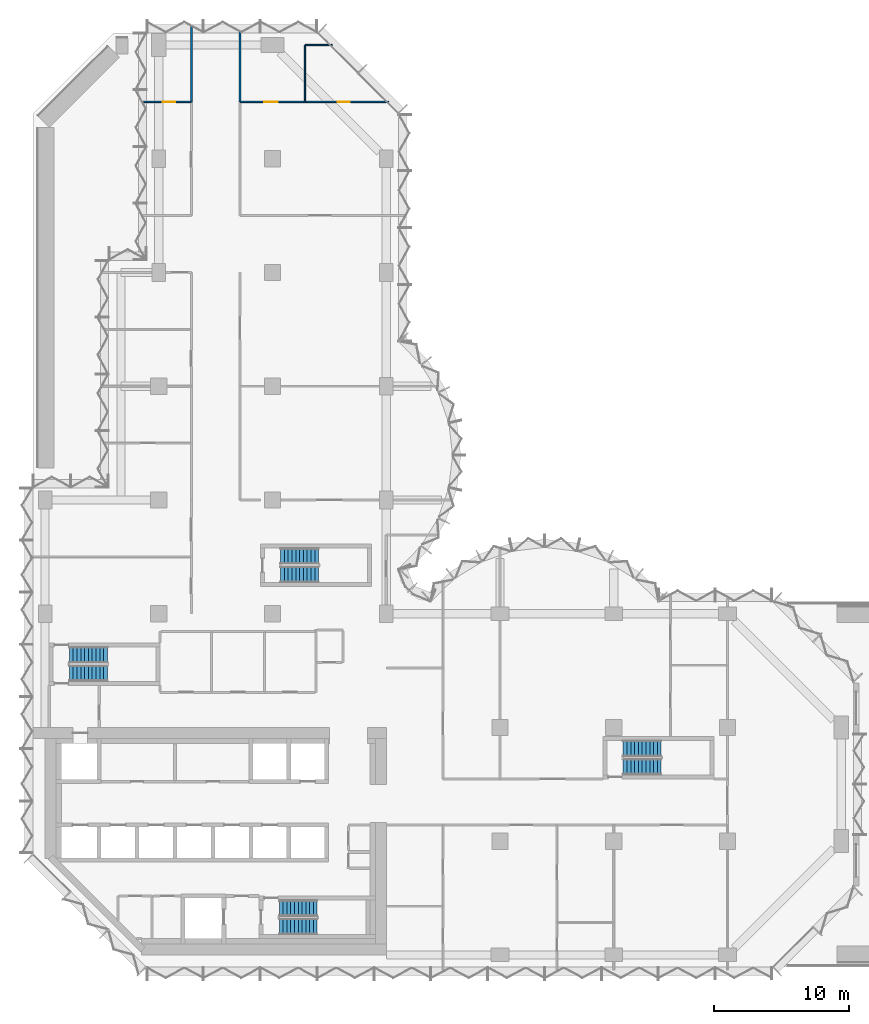
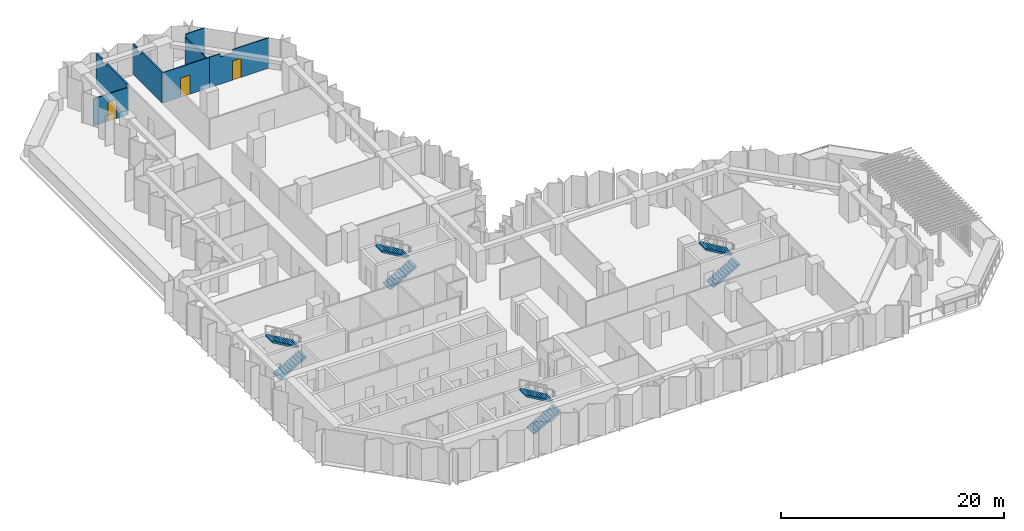
# One storey, part 15 of 18: 8 stair flights, 7 walls, 3 doors, 3 openings, 4 elements without a shape of their own.
"""IFC4 building model written with IfcOpenShell, lengths in metres."""

from ifc_helpers import new_model, si_unit, direction, frame, frame_2d, origin, place, context, subcontext, project, spatial, polyline, rectangle, outline, extrude, material, layer, layer_set, type_object, element, fill, aggregate, save


model = new_model("IFC4")

# Units and contexts
model_context = context("Model", 3, precision=1e-05, world=origin(), true_north=direction((0.0, 1.0)))
body_context = subcontext(model_context, "Body", "Model", "MODEL_VIEW")
ifc_project = project(units=[si_unit("LENGTHUNIT", "METRE"), si_unit("AREAUNIT", "SQUARE_METRE"), si_unit("VOLUMEUNIT", "CUBIC_METRE"), si_unit("PLANEANGLEUNIT", "RADIAN"), si_unit("MASSUNIT", "GRAM", prefix="KILO")], contexts=[model_context])

# Site, building, storey
site_placement = place(None, origin())
site = spatial("IfcSite", under=ifc_project, at=site_placement, CompositionType="ELEMENT")
building_placement = place(site_placement, origin())
building = spatial("IfcBuilding", under=site, at=building_placement, Name="Brevane Broadcast Tower", CompositionType="ELEMENT")
storey_placement = place(building_placement, frame((0.0, 0.0, 134.89990234375)))
storey = spatial("IfcBuildingStorey", under=building, at=storey_placement, Name="L33", CompositionType="ELEMENT", Elevation=134.89990234375)

# Wall, opening, door
ifc_material_1 = material(Name="Gypsum board partition")
ifc_layer_1 = layer(ifc_material_1, 0.10009765625)
ifc_layer_set_1 = layer_set([ifc_layer_1], Name="PARTITION 100 STUD")
wall_type_1 = type_object("IfcWallType", Name="PARTITION 100 STUD", PredefinedType="PARTITIONING", material=ifc_layer_set_1)
wall_1_placement = place(storey_placement, frame((7.22607421875, 63.0, 0.0), z_axis=(0.0, 0.0, 1.0), x_axis=(1.0, 0.0, 0.0)))
wall_1 = element("IfcWall", 1, at=wall_1_placement, inside=storey, type_object=wall_type_1, Name="Partition G10-060", PredefinedType="PARTITIONING", context=body_context, shape_type="SweptSolid", body=[
    extrude(rectangle(XDim=3.573974609375, YDim=0.10009765625, at=frame_2d((1.787109375, 0.0))), origin(), (0.0, 0.0, 1.0), 2.97998046875),
])
opening_1_placement = place(wall_1_placement, frame((1.47412109375, 0.0, 0.0)))
opening_1 = element("IfcOpeningElement", 2, at=opening_1_placement, cuts=wall_1, Name="Opening D17-019", PredefinedType="OPENING", context=body_context, shape_type="SweptSolid", body=[
    extrude(rectangle(XDim=0.89990234375, YDim=2.10009765625, at=frame_2d((0.449951171875, 1.050048828125))), frame((0.0, 0.06005859375, 0.0), z_axis=(0.0, -1.0, 0.0), x_axis=(1.0, 0.0, 0.0)), (0.0, 0.0, 1.0), 0.1201171875),
])
ifc_material_2 = material(Name="Timber door leaf", Category="wood")
door_type_1 = type_object("IfcDoorType", Name="DOOR SINGLE 900 INTERNAL", OperationType="SINGLE_SWING_LEFT", PredefinedType="DOOR", material=ifc_material_2)
door_1_placement = place(opening_1_placement, origin())
door_1 = element("IfcDoor", 3, at=door_1_placement, inside=storey, type_object=door_type_1, Name="Door D17-019", OperationType="SINGLE_SWING_LEFT", OverallHeight=2.10009765625, OverallWidth=0.89990234375, PredefinedType="DOOR", context=body_context, shape_type="SweptSolid", body=[
    extrude(rectangle(XDim=0.89990234375, YDim=2.10009765625, at=frame_2d((0.449951171875, 1.050048828125))), frame((0.0, 0.02490234375, 0.0), z_axis=(0.0, -1.0, 0.0), x_axis=(1.0, 0.0, 0.0)), (0.0, 0.0, 1.0), 0.050048828125),
])
fill(opening_1, door_1)

wall_2_placement = place(storey_placement, frame((14.39990234375, 63.0, 0.0), z_axis=(0.0, 0.0, 1.0), x_axis=(1.0, 0.0, 0.0)))
wall_2 = element("IfcWall", 4, at=wall_2_placement, inside=storey, type_object=wall_type_1, Name="Partition G10-065", PredefinedType="PARTITIONING", context=body_context, shape_type="SweptSolid", body=[
    extrude(rectangle(XDim=4.800048828125, YDim=0.10009765625, at=frame_2d((2.39990234375, 0.0))), origin(), (0.0, 0.0, 1.0), 3.330078125),
])
opening_2_placement = place(wall_2_placement, frame((1.800048828125, 0.0, 0.0)))
opening_2 = element("IfcOpeningElement", 5, at=opening_2_placement, cuts=wall_2, Name="Opening D17-023", PredefinedType="OPENING", context=body_context, shape_type="SweptSolid", body=[
    extrude(rectangle(XDim=1.0, YDim=2.10009765625, at=frame_2d((0.5, 1.050048828125))), frame((0.0, 0.06005859375, 0.0), z_axis=(0.0, -1.0, 0.0), x_axis=(1.0, 0.0, 0.0)), (0.0, 0.0, 1.0), 0.1201171875),
])
door_type_2 = type_object("IfcDoorType", Name="DOOR SINGLE 1000 INTERNAL", OperationType="SINGLE_SWING_LEFT", PredefinedType="DOOR", material=ifc_material_2)
door_2_placement = place(opening_2_placement, origin())
door_2 = element("IfcDoor", 6, at=door_2_placement, inside=storey, type_object=door_type_2, Name="Door D17-023", OperationType="SINGLE_SWING_LEFT", OverallHeight=2.10009765625, OverallWidth=1.0, PredefinedType="DOOR", context=body_context, shape_type="SweptSolid", body=[
    extrude(rectangle(XDim=1.0, YDim=2.10009765625, at=frame_2d((0.5, 1.050048828125))), frame((0.0, 0.02490234375, 0.0), z_axis=(0.0, -1.0, 0.0), x_axis=(1.0, 0.0, 0.0)), (0.0, 0.0, 1.0), 0.050048828125),
])
fill(opening_2, door_2)

wall_3_placement = place(storey_placement, frame((19.199951171875, 63.0, 0.0), z_axis=(0.0, 0.0, 1.0), x_axis=(1.0, 0.0, 0.0)))
wall_3 = element("IfcWall", 7, at=wall_3_placement, inside=storey, type_object=wall_type_1, Name="Partition G10-066", PredefinedType="PARTITIONING", context=body_context, shape_type="SweptSolid", body=[
    extrude(outline(polyline([(0.0, 0.0), (6.199951171875, 0.0), (6.199951171875, 3.330078125), (2.465576171875, 3.330078125), (2.463623046875, 2.97998046875), (1.13623046875, 2.97998046875), (1.13427734375, 3.330078125), (0.0, 3.330078125), (0.0, 0.0)])), frame((0.0, 0.050048828125, 0.0), z_axis=(0.0, -1.0, 0.0), x_axis=(1.0, 0.0, 0.0)), (0.0, 0.0, 1.0), 0.10009765625),
])
opening_3_placement = place(wall_3_placement, frame((2.39990234375, 0.0, 0.0)))
opening_3 = element("IfcOpeningElement", 8, at=opening_3_placement, cuts=wall_3, Name="Opening D17-024", PredefinedType="OPENING", context=body_context, shape_type="SweptSolid", body=[
    extrude(rectangle(XDim=0.89990234375, YDim=2.10009765625, at=frame_2d((0.449951171875, 1.050048828125))), frame((0.0, 0.06005859375, 0.0), z_axis=(0.0, -1.0, 0.0), x_axis=(1.0, 0.0, 0.0)), (0.0, 0.0, 1.0), 0.1201171875),
])
door_3_placement = place(opening_3_placement, origin())
door_3 = element("IfcDoor", 9, at=door_3_placement, inside=storey, type_object=door_type_1, Name="Door D17-024", OperationType="SINGLE_SWING_LEFT", OverallHeight=2.10009765625, OverallWidth=0.89990234375, PredefinedType="DOOR", context=body_context, shape_type="SweptSolid", body=[
    extrude(rectangle(XDim=0.89990234375, YDim=2.10009765625, at=frame_2d((0.449951171875, 1.050048828125))), frame((0.0, 0.02490234375, 0.0), z_axis=(0.0, -1.0, 0.0), x_axis=(1.0, 0.0, 0.0)), (0.0, 0.0, 1.0), 0.050048828125),
])
fill(opening_3, door_3)

# Walls
wall_4_placement = place(storey_placement, frame((21.199951171875, 67.199951171875, 0.0), z_axis=(0.0, 0.0, 1.0), x_axis=(-1.0, 0.0, 0.0)))
element("IfcWall", 10, at=wall_4_placement, inside=storey, type_object=wall_type_1, Name="Partition G10-067", PredefinedType="PARTITIONING", context=body_context, shape_type="SweptSolid", body=[
    extrude(rectangle(XDim=2.0, YDim=0.10009765625, at=frame_2d((1.0, 0.0))), origin(), (0.0, 0.0, 1.0), 3.330078125),
])
wall_5_placement = place(storey_placement, frame((19.199951171875, 67.199951171875, 0.0), z_axis=(0.0, 0.0, 1.0), x_axis=(0.0, -1.0, 0.0)))
element("IfcWall", 11, at=wall_5_placement, inside=storey, type_object=wall_type_1, Name="Partition G10-068", PredefinedType="PARTITIONING", context=body_context, shape_type="SweptSolid", body=[
    extrude(rectangle(XDim=4.199951171875, YDim=0.10009765625, at=frame_2d((2.10009765625, 0.0))), origin(), (0.0, 0.0, 1.0), 2.97998046875),
])
ifc_layer_2 = layer(ifc_material_1, 0.14990234375)
ifc_layer_set_2 = layer_set([ifc_layer_2], Name="PARTITION 150 EI 60")
wall_type_2 = type_object("IfcWallType", Name="PARTITION 150 EI 60", PredefinedType="PARTITIONING", material=ifc_layer_set_2)
wall_6_placement = place(storey_placement, frame((10.800048828125, 63.0, 0.0), z_axis=(0.0, 0.0, 1.0), x_axis=(0.0, 1.0, 0.0)))
element("IfcWall", 12, at=wall_6_placement, inside=storey, type_object=wall_type_2, Name="Partition G10-047", PredefinedType="PARTITIONING", context=body_context, shape_type="SweptSolid", body=[
    extrude(outline(polyline([(0.0, 0.0), (5.56494140625, 0.0), (5.56494140625, 3.330078125), (5.280029296875, 3.330078125), (4.64990234375, 3.330078125), (4.64794921875, 2.97998046875), (3.751953125, 2.97998046875), (3.75, 3.330078125), (0.0, 3.330078125), (0.0, 0.0)])), frame((0.0, 0.074951171875, 0.0), z_axis=(0.0, -1.0, 0.0), x_axis=(1.0, 0.0, 0.0)), (0.0, 0.0, 1.0), 0.14990234375),
])
wall_7_placement = place(storey_placement, frame((14.39990234375, 68.280029296875, 0.0), z_axis=(0.0, 0.0, 1.0), x_axis=(0.0, -1.0, 0.0)))
element("IfcWall", 13, at=wall_7_placement, inside=storey, type_object=wall_type_2, Name="Partition G10-051", PredefinedType="PARTITIONING", context=body_context, shape_type="SweptSolid", body=[
    extrude(outline(polyline([(0.0, 0.0), (5.280029296875, 0.0), (5.280029296875, 3.330078125), (1.530029296875, 3.330078125), (1.528076171875, 2.97998046875), (0.632080078125, 2.97998046875), (0.6298828125, 3.330078125), (0.0, 3.330078125), (0.0, 0.0)])), frame((0.0, 0.074951171875, 0.0), z_axis=(0.0, -1.0, 0.0), x_axis=(1.0, 0.0, 0.0)), (0.0, 0.0, 1.0), 0.14990234375),
])

# Stair, stair flights
ifc_material_3 = material(Name="Concrete C50/60", Category="concrete")
stair_type = type_object("IfcStairType", Name="Exit stair 22 risers", PredefinedType="HALF_TURN_STAIR", material=ifc_material_3)
stair_1_placement = place(storey_placement, origin())
stair_1 = element("IfcStair", 14, at=stair_1_placement, inside=storey, type_object=stair_type, Name="L33 Exit stair ST-1", PredefinedType="HALF_TURN_STAIR")
stair_flight_type = type_object("IfcStairFlightType", Name="Exit stair flight 22 risers", PredefinedType="STRAIGHT", material=ifc_material_3)
stair_flight_1_placement = place(storey_placement, frame((1.800048828125, 20.800048828125, 0.0), z_axis=(0.0, 0.0, 1.0), x_axis=(1.0, 0.0, 0.0)))
stair_flight_1 = element("IfcStairFlight", 15, at=stair_flight_1_placement, type_object=stair_flight_type, Name="ST-1 flight 1", NumberOfRisers=11, NumberOfTreads=10, PredefinedType="STRAIGHT", RiserHeight=0.163636364, TreadLength=0.28, context=body_context, shape_type="SweptSolid", body=[
    extrude(outline(polyline([(0.0, 0.0), (0.0, 0.16357421875), (0.280029296875, 0.16357421875), (0.280029296875, 0.327392578125), (0.56005859375, 0.327392578125), (0.56005859375, 0.490966796875), (0.840087890625, 0.490966796875), (0.840087890625, 0.654541015625), (1.1201171875, 0.654541015625), (1.1201171875, 0.818115234375), (1.39990234375, 0.818115234375), (1.39990234375, 0.98193359375), (1.679931640625, 0.98193359375), (1.679931640625, 1.1455078125), (1.9599609375, 1.1455078125), (1.9599609375, 1.30908203125), (2.239990234375, 1.30908203125), (2.239990234375, 1.47265625), (2.52001953125, 1.47265625), (2.52001953125, 1.636474609375), (2.800048828125, 1.636474609375), (2.800048828125, 1.800048828125), (2.800048828125, 1.462646484375), (0.297119140625, 0.0), (0.0, 0.0)])), frame((0.0, 0.60009765625, 0.0), z_axis=(0.0, -1.0, 0.0), x_axis=(1.0, 0.0, 0.0)), (0.0, 0.0, 1.0), 1.199951171875),
])
stair_flight_2_placement = place(storey_placement, frame((4.60009765625, 22.14990234375, 1.800048828125), z_axis=(0.0, 0.0, 1.0), x_axis=(-1.0, 0.0, 0.0)))
stair_flight_2 = element("IfcStairFlight", 16, at=stair_flight_2_placement, type_object=stair_flight_type, Name="ST-1 flight 2", NumberOfRisers=11, NumberOfTreads=10, PredefinedType="STRAIGHT", RiserHeight=0.163636364, TreadLength=0.28, context=body_context, shape_type="SweptSolid", body=[
    extrude(outline(polyline([(0.0, 0.0), (0.0, 0.16357421875), (0.280029296875, 0.16357421875), (0.280029296875, 0.327392578125), (0.56005859375, 0.327392578125), (0.56005859375, 0.490966796875), (0.840087890625, 0.490966796875), (0.840087890625, 0.654541015625), (1.1201171875, 0.654541015625), (1.1201171875, 0.818115234375), (1.39990234375, 0.818115234375), (1.39990234375, 0.98193359375), (1.679931640625, 0.98193359375), (1.679931640625, 1.1455078125), (1.9599609375, 1.1455078125), (1.9599609375, 1.30908203125), (2.239990234375, 1.30908203125), (2.239990234375, 1.47265625), (2.52001953125, 1.47265625), (2.52001953125, 1.636474609375), (2.800048828125, 1.636474609375), (2.800048828125, 1.800048828125), (2.800048828125, 1.462646484375), (0.297119140625, 0.0), (0.0, 0.0)])), frame((0.0, 0.60009765625, 0.0), z_axis=(0.0, -1.0, 0.0), x_axis=(1.0, 0.0, 0.0)), (0.0, 0.0, 1.0), 1.199951171875),
])
aggregate(stair_1, [stair_flight_1, stair_flight_2])

stair_2_placement = place(storey_placement, origin())
stair_2 = element("IfcStair", 17, at=stair_2_placement, inside=storey, type_object=stair_type, Name="L33 Exit stair ST-2", PredefinedType="HALF_TURN_STAIR")
stair_flight_3_placement = place(storey_placement, frame((17.300048828125, 2.10009765625, 0.0), z_axis=(0.0, 0.0, 1.0), x_axis=(1.0, 0.0, 0.0)))
stair_flight_3 = element("IfcStairFlight", 18, at=stair_flight_3_placement, type_object=stair_flight_type, Name="ST-2 flight 1", NumberOfRisers=11, NumberOfTreads=10, PredefinedType="STRAIGHT", RiserHeight=0.163636364, TreadLength=0.28, context=body_context, shape_type="SweptSolid", body=[
    extrude(outline(polyline([(0.0, 0.0), (0.0, 0.16357421875), (0.280029296875, 0.16357421875), (0.280029296875, 0.327392578125), (0.56005859375, 0.327392578125), (0.56005859375, 0.490966796875), (0.840087890625, 0.490966796875), (0.840087890625, 0.654541015625), (1.1201171875, 0.654541015625), (1.1201171875, 0.818115234375), (1.39990234375, 0.818115234375), (1.39990234375, 0.98193359375), (1.679931640625, 0.98193359375), (1.679931640625, 1.1455078125), (1.9599609375, 1.1455078125), (1.9599609375, 1.30908203125), (2.239990234375, 1.30908203125), (2.239990234375, 1.47265625), (2.52001953125, 1.47265625), (2.52001953125, 1.636474609375), (2.800048828125, 1.636474609375), (2.800048828125, 1.800048828125), (2.800048828125, 1.462646484375), (0.297119140625, 0.0), (0.0, 0.0)])), frame((0.0, 0.60009765625, 0.0), z_axis=(0.0, -1.0, 0.0), x_axis=(1.0, 0.0, 0.0)), (0.0, 0.0, 1.0), 1.199951171875),
])
stair_flight_4_placement = place(storey_placement, frame((20.10009765625, 3.449951171875, 1.800048828125), z_axis=(0.0, 0.0, 1.0), x_axis=(-1.0, 0.0, 0.0)))
stair_flight_4 = element("IfcStairFlight", 19, at=stair_flight_4_placement, type_object=stair_flight_type, Name="ST-2 flight 2", NumberOfRisers=11, NumberOfTreads=10, PredefinedType="STRAIGHT", RiserHeight=0.163636364, TreadLength=0.28, context=body_context, shape_type="SweptSolid", body=[
    extrude(outline(polyline([(0.0, 0.0), (0.0, 0.16357421875), (0.280029296875, 0.16357421875), (0.280029296875, 0.327392578125), (0.56005859375, 0.327392578125), (0.56005859375, 0.490966796875), (0.840087890625, 0.490966796875), (0.840087890625, 0.654541015625), (1.1201171875, 0.654541015625), (1.1201171875, 0.818115234375), (1.39990234375, 0.818115234375), (1.39990234375, 0.98193359375), (1.679931640625, 0.98193359375), (1.679931640625, 1.1455078125), (1.9599609375, 1.1455078125), (1.9599609375, 1.30908203125), (2.239990234375, 1.30908203125), (2.239990234375, 1.47265625), (2.52001953125, 1.47265625), (2.52001953125, 1.636474609375), (2.800048828125, 1.636474609375), (2.800048828125, 1.800048828125), (2.800048828125, 1.462646484375), (0.297119140625, 0.0), (0.0, 0.0)])), frame((0.0, 0.60009765625, 0.0), z_axis=(0.0, -1.0, 0.0), x_axis=(1.0, 0.0, 0.0)), (0.0, 0.0, 1.0), 1.199951171875),
])
aggregate(stair_2, [stair_flight_3, stair_flight_4])

stair_3_placement = place(storey_placement, origin())
stair_3 = element("IfcStair", 20, at=stair_3_placement, inside=storey, type_object=stair_type, Name="L33 Exit stair ST-3", PredefinedType="HALF_TURN_STAIR")
stair_flight_5_placement = place(storey_placement, frame((17.39990234375, 28.10009765625, 0.0), z_axis=(0.0, 0.0, 1.0), x_axis=(1.0, 0.0, 0.0)))
stair_flight_5 = element("IfcStairFlight", 21, at=stair_flight_5_placement, type_object=stair_flight_type, Name="ST-3 flight 1", NumberOfRisers=11, NumberOfTreads=10, PredefinedType="STRAIGHT", RiserHeight=0.163636364, TreadLength=0.28, context=body_context, shape_type="SweptSolid", body=[
    extrude(outline(polyline([(0.0, 0.0), (0.0, 0.16357421875), (0.280029296875, 0.16357421875), (0.280029296875, 0.327392578125), (0.56005859375, 0.327392578125), (0.56005859375, 0.490966796875), (0.840087890625, 0.490966796875), (0.840087890625, 0.654541015625), (1.1201171875, 0.654541015625), (1.1201171875, 0.818115234375), (1.39990234375, 0.818115234375), (1.39990234375, 0.98193359375), (1.679931640625, 0.98193359375), (1.679931640625, 1.1455078125), (1.9599609375, 1.1455078125), (1.9599609375, 1.30908203125), (2.239990234375, 1.30908203125), (2.239990234375, 1.47265625), (2.52001953125, 1.47265625), (2.52001953125, 1.636474609375), (2.800048828125, 1.636474609375), (2.800048828125, 1.800048828125), (2.800048828125, 1.462646484375), (0.297119140625, 0.0), (0.0, 0.0)])), frame((0.0, 0.60009765625, 0.0), z_axis=(0.0, -1.0, 0.0), x_axis=(1.0, 0.0, 0.0)), (0.0, 0.0, 1.0), 1.199951171875),
])
stair_flight_6_placement = place(storey_placement, frame((20.199951171875, 29.449951171875, 1.800048828125), z_axis=(0.0, 0.0, 1.0), x_axis=(-1.0, 0.0, 0.0)))
stair_flight_6 = element("IfcStairFlight", 22, at=stair_flight_6_placement, type_object=stair_flight_type, Name="ST-3 flight 2", NumberOfRisers=11, NumberOfTreads=10, PredefinedType="STRAIGHT", RiserHeight=0.163636364, TreadLength=0.28, context=body_context, shape_type="SweptSolid", body=[
    extrude(outline(polyline([(0.0, 0.0), (0.0, 0.16357421875), (0.280029296875, 0.16357421875), (0.280029296875, 0.327392578125), (0.56005859375, 0.327392578125), (0.56005859375, 0.490966796875), (0.840087890625, 0.490966796875), (0.840087890625, 0.654541015625), (1.1201171875, 0.654541015625), (1.1201171875, 0.818115234375), (1.39990234375, 0.818115234375), (1.39990234375, 0.98193359375), (1.679931640625, 0.98193359375), (1.679931640625, 1.1455078125), (1.9599609375, 1.1455078125), (1.9599609375, 1.30908203125), (2.239990234375, 1.30908203125), (2.239990234375, 1.47265625), (2.52001953125, 1.47265625), (2.52001953125, 1.636474609375), (2.800048828125, 1.636474609375), (2.800048828125, 1.800048828125), (2.800048828125, 1.462646484375), (0.297119140625, 0.0), (0.0, 0.0)])), frame((0.0, 0.60009765625, 0.0), z_axis=(0.0, -1.0, 0.0), x_axis=(1.0, 0.0, 0.0)), (0.0, 0.0, 1.0), 1.199951171875),
])
aggregate(stair_3, [stair_flight_5, stair_flight_6])

stair_4_placement = place(storey_placement, origin())
stair_4 = element("IfcStair", 23, at=stair_4_placement, inside=storey, type_object=stair_type, Name="L33 Exit stair ST-4", PredefinedType="HALF_TURN_STAIR")
stair_flight_7_placement = place(storey_placement, frame((42.699951171875, 13.89990234375, 0.0), z_axis=(0.0, 0.0, 1.0), x_axis=(1.0, 0.0, 0.0)))
stair_flight_7 = element("IfcStairFlight", 24, at=stair_flight_7_placement, type_object=stair_flight_type, Name="ST-4 flight 1", NumberOfRisers=11, NumberOfTreads=10, PredefinedType="STRAIGHT", RiserHeight=0.163636364, TreadLength=0.28, context=body_context, shape_type="SweptSolid", body=[
    extrude(outline(polyline([(0.0, 0.0), (0.0, 0.16357421875), (0.280029296875, 0.16357421875), (0.280029296875, 0.327392578125), (0.56005859375, 0.327392578125), (0.56005859375, 0.490966796875), (0.840087890625, 0.490966796875), (0.840087890625, 0.654541015625), (1.1201171875, 0.654541015625), (1.1201171875, 0.818115234375), (1.39990234375, 0.818115234375), (1.39990234375, 0.98193359375), (1.679931640625, 0.98193359375), (1.679931640625, 1.1455078125), (1.9599609375, 1.1455078125), (1.9599609375, 1.30908203125), (2.239990234375, 1.30908203125), (2.239990234375, 1.47265625), (2.52001953125, 1.47265625), (2.52001953125, 1.636474609375), (2.800048828125, 1.636474609375), (2.800048828125, 1.800048828125), (2.800048828125, 1.462646484375), (0.297119140625, 0.0), (0.0, 0.0)])), frame((0.0, 0.60009765625, 0.0), z_axis=(0.0, -1.0, 0.0), x_axis=(1.0, 0.0, 0.0)), (0.0, 0.0, 1.0), 1.199951171875),
])
stair_flight_8_placement = place(storey_placement, frame((45.5, 15.25, 1.800048828125), z_axis=(0.0, 0.0, 1.0), x_axis=(-1.0, 0.0, 0.0)))
stair_flight_8 = element("IfcStairFlight", 25, at=stair_flight_8_placement, type_object=stair_flight_type, Name="ST-4 flight 2", NumberOfRisers=11, NumberOfTreads=10, PredefinedType="STRAIGHT", RiserHeight=0.163636364, TreadLength=0.28, context=body_context, shape_type="SweptSolid", body=[
    extrude(outline(polyline([(0.0, 0.0), (0.0, 0.16357421875), (0.280029296875, 0.16357421875), (0.280029296875, 0.327392578125), (0.56005859375, 0.327392578125), (0.56005859375, 0.490966796875), (0.840087890625, 0.490966796875), (0.840087890625, 0.654541015625), (1.1201171875, 0.654541015625), (1.1201171875, 0.818115234375), (1.39990234375, 0.818115234375), (1.39990234375, 0.98193359375), (1.679931640625, 0.98193359375), (1.679931640625, 1.1455078125), (1.9599609375, 1.1455078125), (1.9599609375, 1.30908203125), (2.239990234375, 1.30908203125), (2.239990234375, 1.47265625), (2.52001953125, 1.47265625), (2.52001953125, 1.636474609375), (2.800048828125, 1.636474609375), (2.800048828125, 1.800048828125), (2.800048828125, 1.462646484375), (0.297119140625, 0.0), (0.0, 0.0)])), frame((0.0, 0.60009765625, 0.0), z_axis=(0.0, -1.0, 0.0), x_axis=(1.0, 0.0, 0.0)), (0.0, 0.0, 1.0), 1.199951171875),
])
aggregate(stair_4, [stair_flight_7, stair_flight_8])

save(model, "model.ifc")
